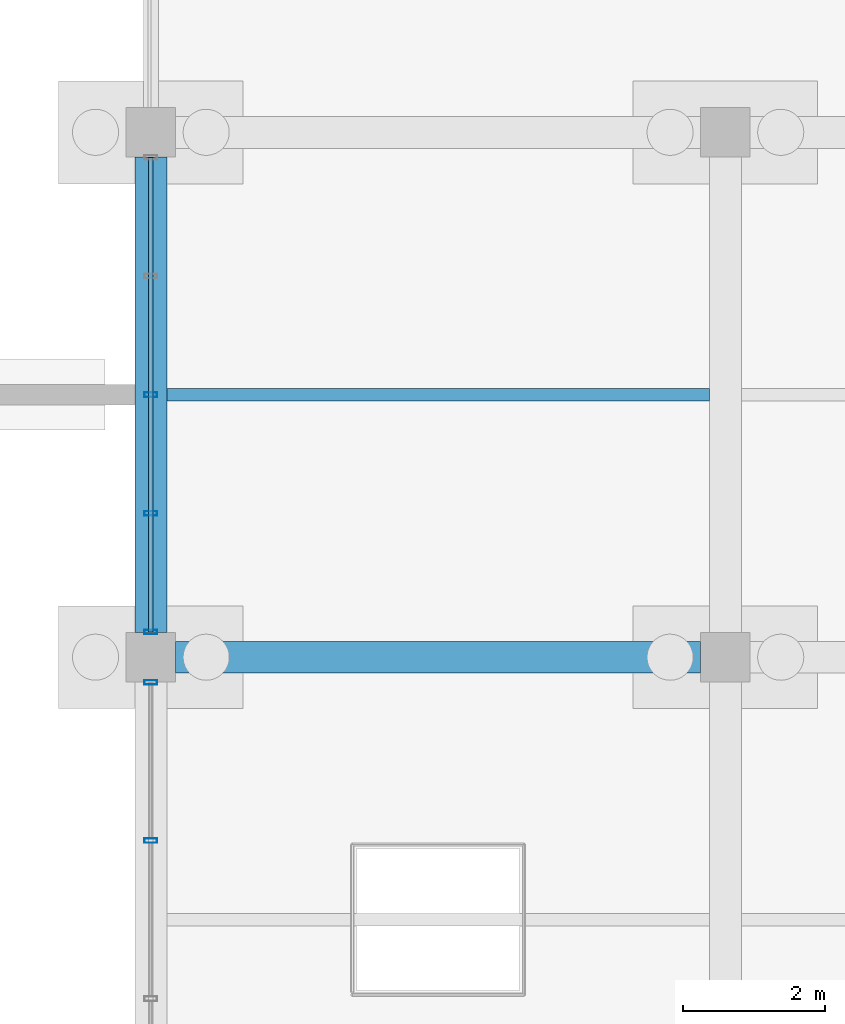
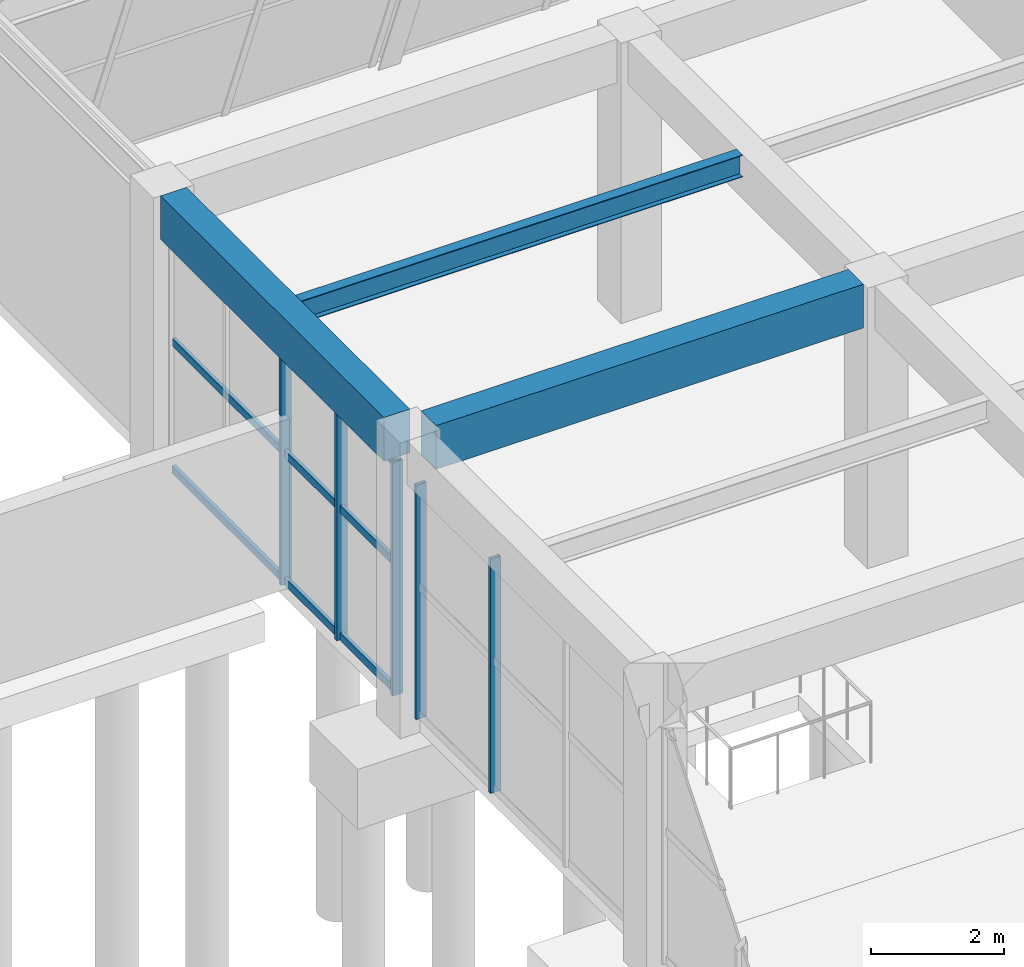
# One storey, part 105 of 140: 8 members, 3 beams, 2 elements without a shape of their own.
"""IFC4 building model written with IfcOpenShell, lengths in metres."""

from ifc_helpers import new_model, si_unit, direction, frame, origin, origin_2d, place, context, subcontext, project, spatial, rectangle, hollow_rectangle, i_section, extrude, material, material_profile, profile_set, type_object, element, aggregate, save


model = new_model("IFC4")

# Units and contexts
model_context = context("Model", 3, precision=1e-05, world=origin(), true_north=direction((0.0, 1.0)))
body_context = subcontext(model_context, "Body", "Model", "MODEL_VIEW")
ifc_project = project(units=[si_unit("LENGTHUNIT", "METRE"), si_unit("AREAUNIT", "SQUARE_METRE"), si_unit("VOLUMEUNIT", "CUBIC_METRE"), si_unit("PLANEANGLEUNIT", "RADIAN"), si_unit("MASSUNIT", "GRAM", prefix="KILO")], contexts=[model_context])

# Site, building, storey
site_placement = place(None, origin())
site = spatial("IfcSite", under=ifc_project, at=site_placement, CompositionType="ELEMENT")
building_placement = place(site_placement, origin())
building = spatial("IfcBuilding", under=site, at=building_placement, Name="Cimatlan Art Gallery", CompositionType="ELEMENT")
storey_placement = place(building_placement, origin())
storey = spatial("IfcBuildingStorey", under=building, at=storey_placement, Name="L00", CompositionType="ELEMENT", Elevation=0.0)

# Beams
ifc_material_1 = material(Name="Concrete C40/50", Category="concrete")
ifc_material_profile_1 = material_profile(ifc_material_1, rectangle(XDim=0.449951171875, YDim=0.800048828125, at=origin_2d()), Name="RC450X800")
ifc_profile_set_1 = profile_set([ifc_material_profile_1], Name="Concrete C40/50")
beam_type_1 = type_object("IfcBeamType", Name="BM-RC-450X800", PredefinedType="BEAM", material=ifc_profile_set_1)
beam_1_placement = place(storey_placement, frame((147.800048828125, 68.64990234375, 4.735107421875), z_axis=(0.0, 1.0, 0.0), x_axis=(-1.0, 0.0, 0.0)))
element("IfcBeam", 1, at=beam_1_placement, inside=storey, type_object=beam_type_1, Name="BM-Y-L00-18-09", PredefinedType="BEAM", context=body_context, shape_type="SweptSolid", body=[
    extrude(rectangle(XDim=0.449951171875, YDim=0.800048828125, at=origin_2d()), origin(), (0.0, 0.0, 1.0), 6.7001953125),
])
beam_2_placement = place(storey_placement, frame((148.14990234375, 68.300048828125, 4.735107421875), z_axis=(1.0, 0.0, 0.0), x_axis=(0.0, 1.0, 0.0)))
element("IfcBeam", 2, at=beam_2_placement, inside=storey, type_object=beam_type_1, Name="BM-X-L00-18-09", PredefinedType="BEAM", context=body_context, shape_type="SweptSolid", body=[
    extrude(rectangle(XDim=0.449951171875, YDim=0.800048828125, at=origin_2d()), origin(), (0.0, 0.0, 1.0), 7.400146484375),
])
ifc_material_2 = material(Name="Steel ASTM A992 Grade 50", Category="steel")
ifc_material_profile_2 = material_profile(ifc_material_2, i_section(OverallWidth=0.177978515625, OverallDepth=0.406982421875, WebThickness=0.0078125, FlangeThickness=0.0126953125, at=origin_2d()), Name="W16X40")
ifc_profile_set_2 = profile_set([ifc_material_profile_2], Name="Steel ASTM A992 Grade 50")
beam_type_2 = type_object("IfcBeamType", Name="BM-STL-W16X40", PredefinedType="JOIST", material=ifc_profile_set_2)
beam_3_placement = place(storey_placement, frame((148.02490234375, 72.0, 4.931396484375), z_axis=(1.0, 0.0, 0.0), x_axis=(0.0, 1.0, 0.0)))
element("IfcBeam", 3, at=beam_3_placement, inside=storey, type_object=beam_type_2, Name="JST-L00-18-09", PredefinedType="JOIST", context=body_context, shape_type="SweptSolid", body=[
    extrude(i_section(OverallWidth=0.177978515625, OverallDepth=0.406982421875, WebThickness=0.0078125, FlangeThickness=0.0126953125, at=origin_2d()), origin(), (0.0, 0.0, 1.0), 7.650146484375),
])

# Curtain wall, members
ifc_material_3 = material(Name="Anodised bronze unitised curtain wall")
curtain_wall_type_1 = type_object("IfcCurtainWallType", Name="CW-V-06692X04290-B3", PredefinedType="NOTDEFINED", material=ifc_material_3)
curtain_wall_1_placement = place(storey_placement, origin())
curtain_wall_1 = element("IfcCurtainWall", 4, at=curtain_wall_1_placement, inside=storey, type_object=curtain_wall_type_1, Name="CW-L00-18-08-W", PredefinedType="NOTDEFINED")
ifc_material_4 = material(Name="Anodised bronze aluminium 6063-T6", Category="aluminium")
ifc_material_profile_3 = material_profile(ifc_material_4, hollow_rectangle(XDim=0.06494140625, YDim=0.179931640625, WallThickness=0.00390625, at=origin_2d()), Name="ALU65X180X4")
ifc_profile_set_3 = profile_set([ifc_material_profile_3], Name="Anodised bronze aluminium 6063-T6")
member_type_1 = type_object("IfcMemberType", Name="CW-MUL-180", PredefinedType="MULLION", material=ifc_profile_set_3)
member_1_placement = place(storey_placement, frame((147.800048828125, 65.71533203125, 0.0), z_axis=(0.0, 0.0, 1.0), x_axis=(0.0, 1.0, 0.0)))
member_1 = element("IfcMember", 5, at=member_1_placement, type_object=member_type_1, Name="CW-L00-18-08-W-M3", PredefinedType="MULLION", context=body_context, shape_type="SweptSolid", body=[
    extrude(hollow_rectangle(XDim=0.06494140625, YDim=0.179931640625, WallThickness=0.00390625, at=origin_2d()), origin(), (0.0, 0.0, 1.0), 4.2900390625),
])
member_2_placement = place(storey_placement, frame((147.800048828125, 67.946044921875, 0.0), z_axis=(0.0, 0.0, 1.0), x_axis=(0.0, 1.0, 0.0)))
member_2 = element("IfcMember", 6, at=member_2_placement, type_object=member_type_1, Name="CW-L00-18-08-W-M4", PredefinedType="MULLION", context=body_context, shape_type="SweptSolid", body=[
    extrude(hollow_rectangle(XDim=0.06494140625, YDim=0.179931640625, WallThickness=0.00390625, at=origin_2d()), origin(), (0.0, 0.0, 1.0), 4.2900390625),
])
aggregate(curtain_wall_1, [member_1, member_2])

curtain_wall_type_2 = type_object("IfcCurtainWallType", Name="CW-V-06692X04275-B4", PredefinedType="NOTDEFINED", material=ifc_material_3)
curtain_wall_2_placement = place(storey_placement, origin())
curtain_wall_2 = element("IfcCurtainWall", 7, at=curtain_wall_2_placement, inside=storey, type_object=curtain_wall_type_2, Name="CW-L00-18-09-W", PredefinedType="NOTDEFINED")
member_3_placement = place(storey_placement, frame((147.800048828125, 68.654052734375, 0.0), z_axis=(0.0, 0.0, 1.0), x_axis=(0.0, 1.0, 0.0)))
member_3 = element("IfcMember", 8, at=member_3_placement, type_object=member_type_1, Name="CW-L00-18-09-W-M1", PredefinedType="MULLION", context=body_context, shape_type="SweptSolid", body=[
    extrude(hollow_rectangle(XDim=0.06494140625, YDim=0.179931640625, WallThickness=0.00390625, at=origin_2d()), origin(), (0.0, 0.0, 1.0), 4.27490234375),
])
member_4_placement = place(storey_placement, frame((147.800048828125, 70.326904296875, 0.0), z_axis=(0.0, 0.0, 1.0), x_axis=(0.0, 1.0, 0.0)))
member_4 = element("IfcMember", 9, at=member_4_placement, type_object=member_type_1, Name="CW-L00-18-09-W-M2", PredefinedType="MULLION", context=body_context, shape_type="SweptSolid", body=[
    extrude(hollow_rectangle(XDim=0.06494140625, YDim=0.179931640625, WallThickness=0.00390625, at=origin_2d()), origin(), (0.0, 0.0, 1.0), 4.27490234375),
])
member_5_placement = place(storey_placement, frame((147.800048828125, 72.0, 0.0), z_axis=(0.0, 0.0, 1.0), x_axis=(0.0, 1.0, 0.0)))
member_5 = element("IfcMember", 10, at=member_5_placement, type_object=member_type_1, Name="CW-L00-18-09-W-M3", PredefinedType="MULLION", context=body_context, shape_type="SweptSolid", body=[
    extrude(hollow_rectangle(XDim=0.06494140625, YDim=0.179931640625, WallThickness=0.00390625, at=origin_2d()), origin(), (0.0, 0.0, 1.0), 4.27490234375),
])
ifc_material_profile_4 = material_profile(ifc_material_4, hollow_rectangle(XDim=0.06494140625, YDim=0.139892578125, WallThickness=0.00390625, at=origin_2d()), Name="ALU65X140X4")
ifc_profile_set_4 = profile_set([ifc_material_profile_4], Name="Anodised bronze aluminium 6063-T6")
member_type_2 = type_object("IfcMemberType", Name="CW-TRN-140", PredefinedType="USERDEFINED", material=ifc_profile_set_4)
member_6_placement = place(storey_placement, frame((147.800048828125, 68.654052734375, 0.06005859375), z_axis=(0.0, 1.0, 0.0), x_axis=(-1.0, 0.0, 0.0)))
member_6 = element("IfcMember", 11, at=member_6_placement, type_object=member_type_2, Name="CW-L00-18-09-W-T1", ObjectType="TRANSOM", PredefinedType="USERDEFINED", context=body_context, shape_type="SweptSolid", body=[
    extrude(hollow_rectangle(XDim=0.06494140625, YDim=0.139892578125, WallThickness=0.00390625, at=origin_2d()), origin(), (0.0, 0.0, 1.0), 6.69189453125),
])
member_7_placement = place(storey_placement, frame((147.800048828125, 68.654052734375, 2.39404296875), z_axis=(0.0, 1.0, 0.0), x_axis=(-1.0, 0.0, 0.0)))
member_7 = element("IfcMember", 12, at=member_7_placement, type_object=member_type_2, Name="CW-L00-18-09-W-T2", ObjectType="TRANSOM", PredefinedType="USERDEFINED", context=body_context, shape_type="SweptSolid", body=[
    extrude(hollow_rectangle(XDim=0.06494140625, YDim=0.139892578125, WallThickness=0.00390625, at=origin_2d()), origin(), (0.0, 0.0, 1.0), 6.69189453125),
])
member_8_placement = place(storey_placement, frame((147.800048828125, 68.654052734375, 4.215087890625), z_axis=(0.0, 1.0, 0.0), x_axis=(-1.0, 0.0, 0.0)))
member_8 = element("IfcMember", 13, at=member_8_placement, type_object=member_type_2, Name="CW-L00-18-09-W-T3", ObjectType="TRANSOM", PredefinedType="USERDEFINED", context=body_context, shape_type="SweptSolid", body=[
    extrude(hollow_rectangle(XDim=0.06494140625, YDim=0.139892578125, WallThickness=0.00390625, at=origin_2d()), origin(), (0.0, 0.0, 1.0), 6.69189453125),
])
aggregate(curtain_wall_2, [member_3, member_4, member_5, member_6, member_7, member_8])

save(model, "model.ifc")
